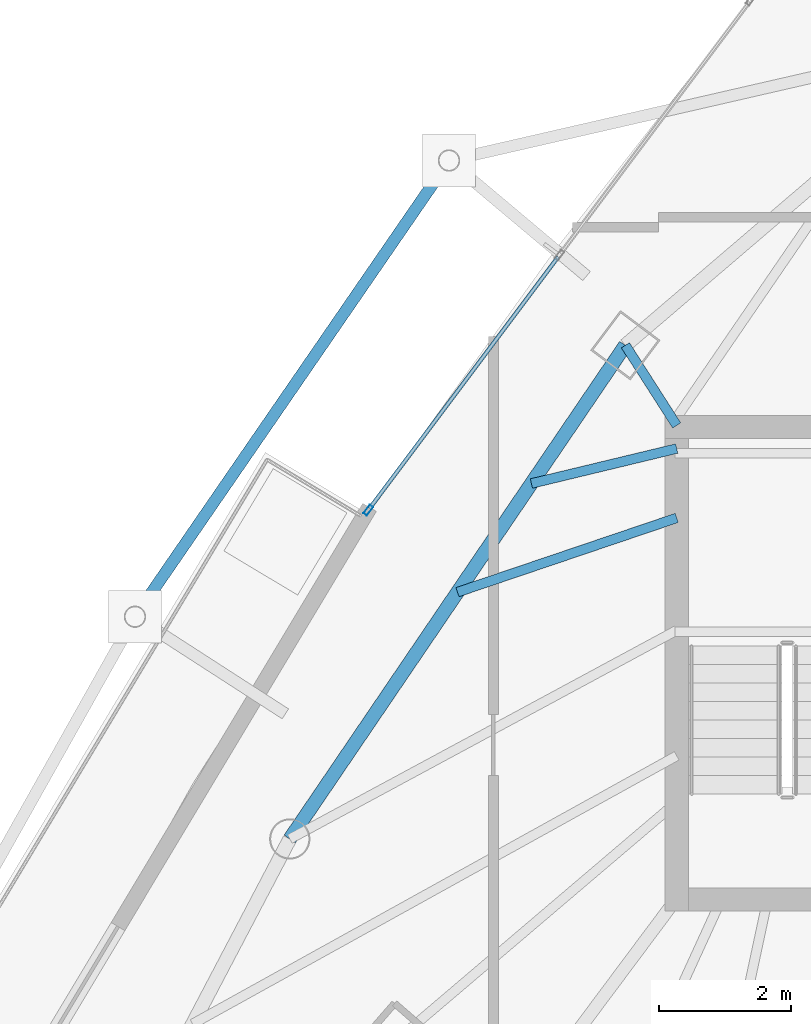
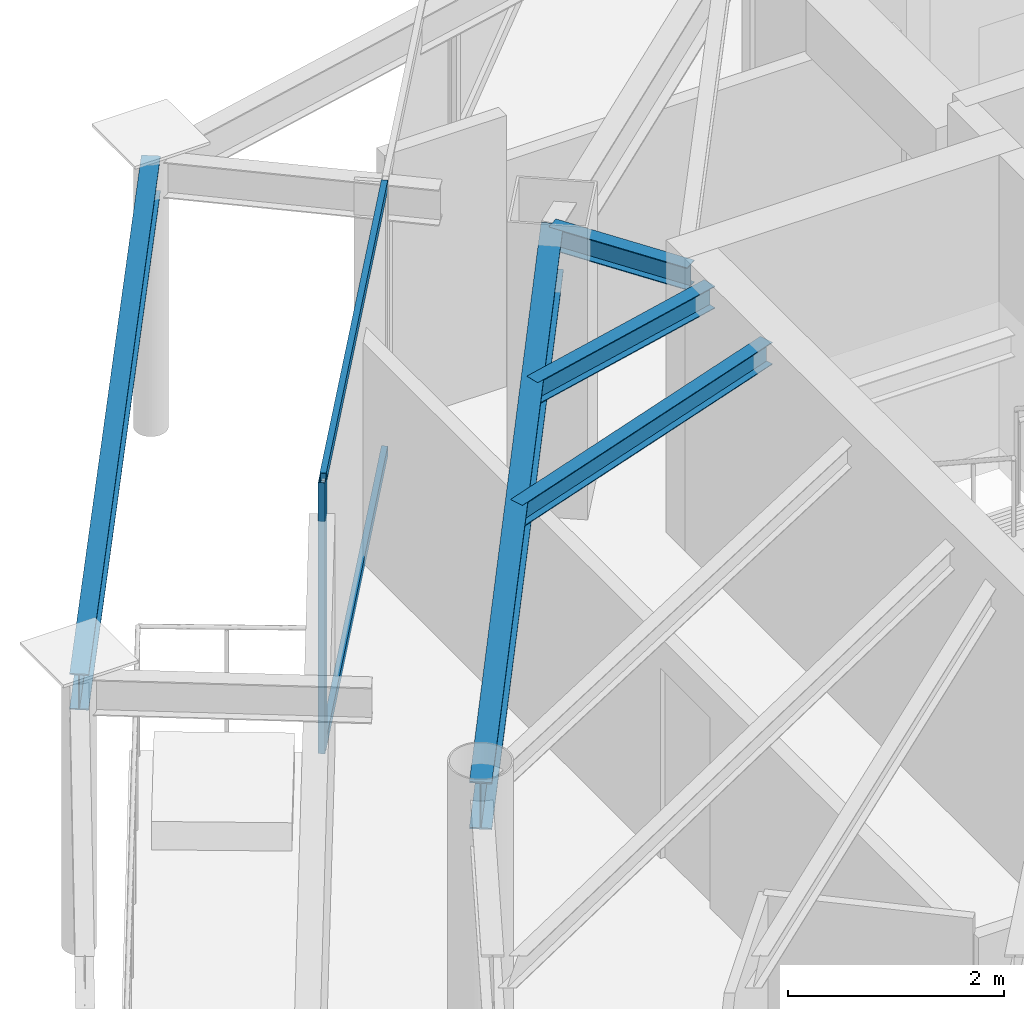
# One storey, part 12 of 29: 5 beams, 3 members, 1 element without a shape of its own.
"""IFC4 building model written with IfcOpenShell, lengths in metres."""

from ifc_helpers import new_model, si_unit, direction, frame, origin, origin_2d, place, context, subcontext, project, spatial, hollow_rectangle, i_section, extrude, material, layer, layer_set, material_profile, profile_set, type_object, element, aggregate, save


model = new_model("IFC4")

# Units and contexts
model_context = context("Model", 3, precision=1e-05, world=origin(), true_north=direction((0.0, 1.0)))
body_context = subcontext(model_context, "Body", "Model", "MODEL_VIEW")
ifc_project = project(units=[si_unit("LENGTHUNIT", "METRE"), si_unit("AREAUNIT", "SQUARE_METRE"), si_unit("VOLUMEUNIT", "CUBIC_METRE"), si_unit("PLANEANGLEUNIT", "RADIAN"), si_unit("MASSUNIT", "GRAM", prefix="KILO")], contexts=[model_context])

# Site, building, storey
site_placement = place(None, origin())
site = spatial("IfcSite", under=ifc_project, at=site_placement, CompositionType="ELEMENT")
building_placement = place(site_placement, origin())
building = spatial("IfcBuilding", under=site, at=building_placement, Name="Orvanel Arch Residences", CompositionType="ELEMENT")
storey_placement = place(building_placement, frame((0.0, 0.0, 246.949951171875)))
storey = spatial("IfcBuildingStorey", under=building, at=storey_placement, Name="L70", CompositionType="ELEMENT", Elevation=246.949951171875)

# Beams
ifc_material_1 = material(Name="Structural steel AS/NZS 3679.1 Grade 300 (300 MPa)", Category="steel")
ifc_material_profile_1 = material_profile(ifc_material_1, i_section(OverallWidth=0.14599609375, OverallDepth=0.251953125, WebThickness=0.006103515625, FlangeThickness=0.008544921875, at=origin_2d()), Name="250UB31.4")
ifc_profile_set_1 = profile_set([ifc_material_profile_1], Name="Structural steel AS/NZS 3679.1 Grade 300 (300 MPa)")
beam_type_1 = type_object("IfcBeamType", Name="BJ-250UB", PredefinedType="JOIST", material=ifc_profile_set_1)
beam_1_placement = place(storey_placement, frame((26.425048828125, 33.89990234375, 2.93408203125), z_axis=(-0.539395075146, 0.842052820735, 0.0), x_axis=(-0.842052820735, -0.539395075146, 0.0)))
element("IfcBeam", 1, at=beam_1_placement, inside=storey, type_object=beam_type_1, Name="L70 NNW Wing Floor Joist", PredefinedType="JOIST", context=body_context, shape_type="SweptSolid", body=[
    extrude(i_section(OverallWidth=0.14599609375, OverallDepth=0.251953125, WebThickness=0.006103515625, FlangeThickness=0.008544921875, at=origin_2d()), origin(), (0.0, 0.0, 1.0), 1.440673828125),
])
beam_2_placement = place(storey_placement, frame((26.425048828125, 32.5, 2.93408203125), z_axis=(-0.947187956478, -0.320678928373, 0.0), x_axis=(0.320678928373, -0.947187956478, 0.0)))
element("IfcBeam", 2, at=beam_2_placement, inside=storey, type_object=beam_type_1, Name="L70 WNW Wing Floor Joist", PredefinedType="JOIST", context=body_context, shape_type="SweptSolid", body=[
    extrude(i_section(OverallWidth=0.14599609375, OverallDepth=0.251953125, WebThickness=0.006103515625, FlangeThickness=0.008544921875, at=origin_2d()), origin(), (0.0, 0.0, 1.0), 3.502197265625),
])
beam_3_placement = place(storey_placement, frame((26.425048828125, 33.550048828125, 2.93408203125), z_axis=(-0.972256833016, -0.23391590509, 0.0), x_axis=(0.23391590509, -0.972256833016, 0.0)))
element("IfcBeam", 3, at=beam_3_placement, inside=storey, type_object=beam_type_1, Name="L70 JADD3 Wing Floor Joist", PredefinedType="JOIST", context=body_context, shape_type="SweptSolid", body=[
    extrude(i_section(OverallWidth=0.14599609375, OverallDepth=0.251953125, WebThickness=0.006103515625, FlangeThickness=0.008544921875, at=origin_2d()), origin(), (0.0, 0.0, 1.0), 2.26171875),
])

# Curtain wall, member
ifc_material_2 = material(Name="Bronze-anodised aluminium AA6063-T6", Category="aluminium")
ifc_layer = layer(ifc_material_2, 0.175048828125)
ifc_layer_set = layer_set([ifc_layer], Name="Bronze-anodised aluminium AA6063-T6")
curtain_wall_type = type_object("IfcCurtainWallType", Name="CW4-HI-SYS", PredefinedType="NOTDEFINED", material=ifc_layer_set)
curtain_wall_placement = place(storey_placement, origin())
curtain_wall = element("IfcCurtainWall", 4, at=curtain_wall_placement, inside=storey, type_object=curtain_wall_type, Name="L70 CW4-HI-SYS Unitised Curtain Wall", PredefinedType="NOTDEFINED")
ifc_material_profile_2 = material_profile(ifc_material_2, hollow_rectangle(XDim=0.06494140625, YDim=0.159912109375, WallThickness=0.00390625, at=origin_2d()), Name="ALU160x65x4")
ifc_profile_set_2 = profile_set([ifc_material_profile_2], Name="Bronze-anodised aluminium AA6063-T6")
member_type_1 = type_object("IfcMemberType", Name="MUL-160x65", PredefinedType="MULLION", material=ifc_profile_set_2)
member_1_placement = place(storey_placement, frame((21.756591796875, 32.617919921875, 0.0), z_axis=(0.0, 0.0, 1.0), x_axis=(0.800074132032, -0.599901144567, 0.0)))
member_1 = element("IfcMember", 5, at=member_1_placement, type_object=member_type_1, Name="CW-S4 mullion 3", PredefinedType="MULLION", context=body_context, shape_type="SweptSolid", body=[
    extrude(hollow_rectangle(XDim=0.06494140625, YDim=0.159912109375, WallThickness=0.00390625, at=origin_2d()), origin(), (0.0, 0.0, 1.0), 3.06005859375),
])

# Beams
ifc_material_profile_3 = material_profile(ifc_material_1, i_section(OverallWidth=0.177978515625, OverallDepth=0.406005859375, WebThickness=0.0078125, FlangeThickness=0.0126953125, at=origin_2d()), Name="410UB59.7")
ifc_profile_set_3 = profile_set([ifc_material_profile_3], Name="Structural steel AS/NZS 3679.1 Grade 300 (300 MPa)")
beam_type_2 = type_object("IfcBeamType", Name="OB-410UB-EXT", PredefinedType="SPANDREL", material=ifc_profile_set_3)
beam_4_placement = place(storey_placement, frame((22.97900390625, 37.909912109375, 2.85693359375), z_axis=(-0.566992250283, -0.823723125886, 0.0), x_axis=(0.823723125886, -0.566992250283, 0.0)))
element("IfcBeam", 6, at=beam_4_placement, inside=storey, type_object=beam_type_2, Name="L70 Outer Perimeter Floor Ring Beam 01", PredefinedType="SPANDREL", context=body_context, shape_type="SweptSolid", body=[
    extrude(i_section(OverallWidth=0.177978515625, OverallDepth=0.406005859375, WebThickness=0.0078125, FlangeThickness=0.0126953125, at=origin_2d()), origin(), (0.0, 0.0, 1.0), 8.3828125),
])
ifc_material_profile_4 = material_profile(ifc_material_1, i_section(OverallWidth=0.208984375, OverallDepth=0.532958984375, WebThickness=0.01025390625, FlangeThickness=0.015625, at=origin_2d()), Name="530UB92.4")
ifc_profile_set_4 = profile_set([ifc_material_profile_4], Name="Structural steel AS/NZS 3679.1 Grade 300 (300 MPa)")
beam_type_3 = type_object("IfcBeamType", Name="SP-530UB", PredefinedType="SPANDREL", material=ifc_profile_set_4)
beam_5_placement = place(storey_placement, frame((25.64794921875, 35.113037109375, 2.79296875), z_axis=(-0.562154793153, -0.827032035978, 0.0), x_axis=(0.827032035978, -0.562154793153, 0.0)))
element("IfcBeam", 7, at=beam_5_placement, inside=storey, type_object=beam_type_3, Name="L70 Perimeter Spandrel Beam 11", PredefinedType="SPANDREL", context=body_context, shape_type="SweptSolid", body=[
    extrude(i_section(OverallWidth=0.208984375, OverallDepth=0.532958984375, WebThickness=0.01025390625, FlangeThickness=0.015625, at=origin_2d()), origin(), (0.0, 0.0, 1.0), 9.03466796875),
])

# Member
ifc_material_profile_5 = material_profile(ifc_material_2, hollow_rectangle(XDim=0.06005859375, YDim=0.1201171875, WallThickness=0.00341796875, at=origin_2d()), Name="ALU120x60x3.5")
ifc_profile_set_5 = profile_set([ifc_material_profile_5], Name="Bronze-anodised aluminium AA6063-T6")
member_type_2 = type_object("IfcMemberType", Name="TRN-120x60", PredefinedType="USERDEFINED", material=ifc_profile_set_5)
member_2_placement = place(storey_placement, frame((24.630615234375, 36.450927734375, 0.030029296875), z_axis=(-0.599942533675, -0.800043096519, 0.0), x_axis=(0.800043096519, -0.599942533675, 0.0)))
member_2 = element("IfcMember", 8, at=member_2_placement, type_object=member_type_2, Name="CW-S4 transom 2.1", ObjectType="TRANSOM", PredefinedType="USERDEFINED", context=body_context, shape_type="SweptSolid", body=[
    extrude(hollow_rectangle(XDim=0.06005859375, YDim=0.1201171875, WallThickness=0.00341796875, at=origin_2d()), origin(), (0.0, 0.0, 1.0), 4.75830078125),
])

member_3_placement = place(storey_placement, frame((24.630615234375, 36.450927734375, 3.030029296875), z_axis=(-0.599942533675, -0.800043096519, 0.0), x_axis=(0.800043096519, -0.599942533675, 0.0)))
member_3 = element("IfcMember", 9, at=member_3_placement, type_object=member_type_2, Name="CW-S4 transom 2.2", ObjectType="TRANSOM", PredefinedType="USERDEFINED", context=body_context, shape_type="SweptSolid", body=[
    extrude(hollow_rectangle(XDim=0.06005859375, YDim=0.1201171875, WallThickness=0.00341796875, at=origin_2d()), origin(), (0.0, 0.0, 1.0), 4.75830078125),
])

aggregate(curtain_wall, [member_1, member_2, member_3])

save(model, "model.ifc")
